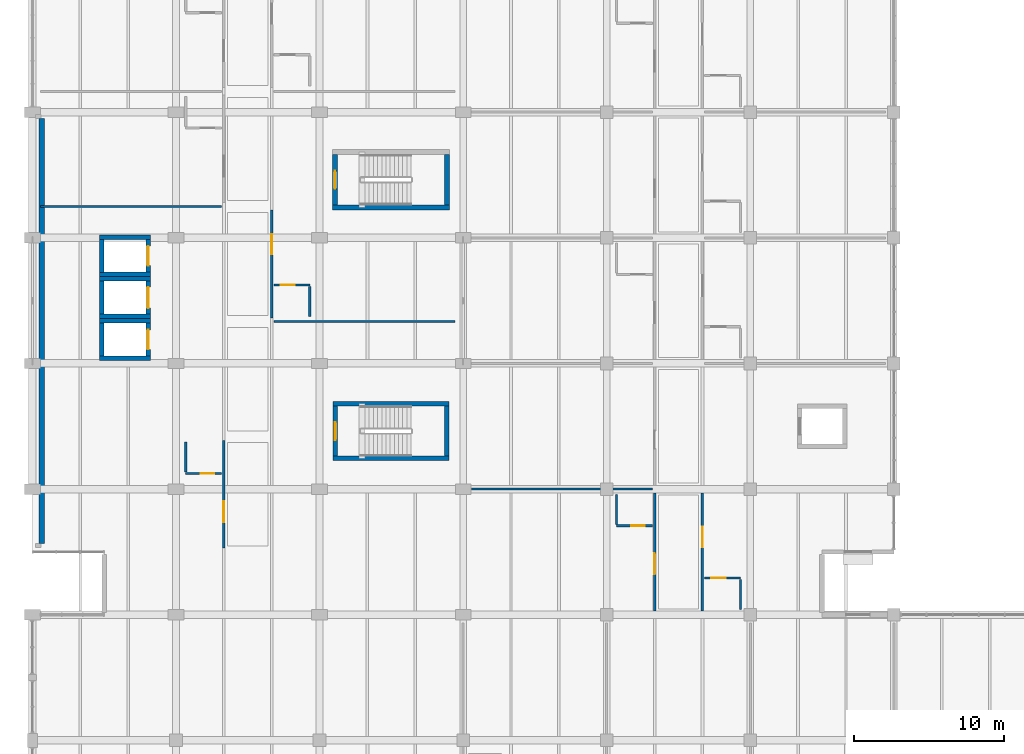
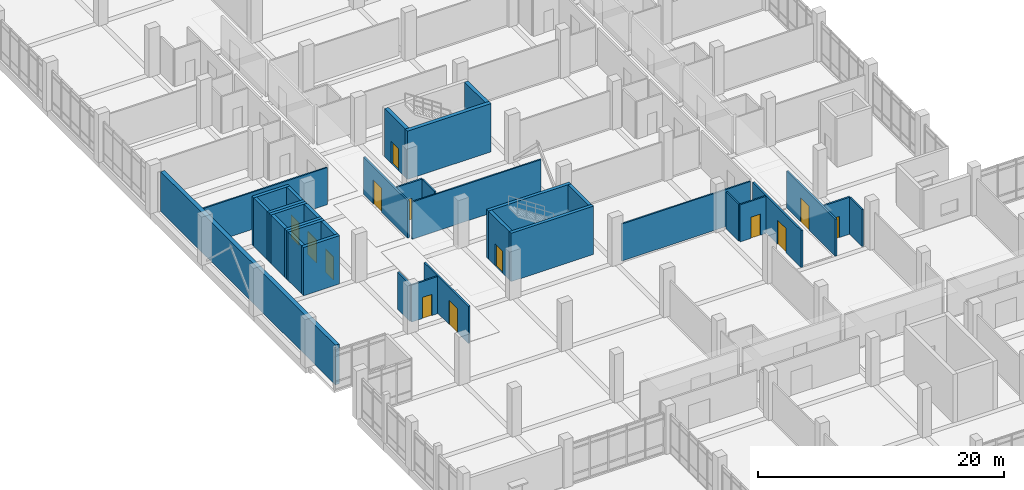
# One storey, part 119 of 152: 35 walls, 13 doors, 13 openings.
"""IFC4 building model written with IfcOpenShell, lengths in metres."""

from ifc_helpers import new_model, si_unit, direction, frame, frame_2d, origin, place, context, subcontext, project, spatial, rectangle, extrude, material, layer, layer_set, type_object, element, fill, save


model = new_model("IFC4")

# Units and contexts
model_context = context("Model", 3, precision=1e-05, world=origin(), true_north=direction((0.0, 1.0)))
body_context = subcontext(model_context, "Body", "Model", "MODEL_VIEW")
ifc_project = project(units=[si_unit("LENGTHUNIT", "METRE"), si_unit("AREAUNIT", "SQUARE_METRE"), si_unit("VOLUMEUNIT", "CUBIC_METRE"), si_unit("PLANEANGLEUNIT", "RADIAN"), si_unit("MASSUNIT", "GRAM", prefix="KILO")], contexts=[model_context])

# Site, building, storey
site_placement = place(None, origin())
site = spatial("IfcSite", under=ifc_project, at=site_placement, CompositionType="ELEMENT")
building_placement = place(site_placement, origin())
building = spatial("IfcBuilding", under=site, at=building_placement, Name="Oolite Switchyard Hospital", CompositionType="ELEMENT")
storey_placement = place(building_placement, frame((0.0, 0.0, 5.10009765625)))
storey = spatial("IfcBuildingStorey", under=building, at=storey_placement, Name="L01", CompositionType="ELEMENT", Elevation=5.10009765625)

# Walls
ifc_material_1 = material(Name="Precast oolitic limestone architectural concrete C40/50", Category="masonry")
ifc_layer_1 = layer(ifc_material_1, 0.3798828125)
ifc_layer_set_1 = layer_set([ifc_layer_1], Name="WAL-EXT-380")
wall_type_1 = type_object("IfcWallType", Name="WAL-EXT-380", PredefinedType="SOLIDWALL", material=ifc_layer_set_1)
wall_1_placement = place(storey_placement, frame((0.6201171875, 38.3798828125, 0.0), z_axis=(0.0, 0.0, 1.0), x_axis=(0.0, 1.0, 0.0)))
element("IfcWall", 1, at=wall_1_placement, inside=storey, type_object=wall_type_1, Name="L01 Exterior Spandrel Wall 103", PredefinedType="SOLIDWALL", context=body_context, shape_type="SweptSolid", body=[
    extrude(rectangle(XDim=28.400146484375, YDim=0.3798828125, at=frame_2d((14.2001953125, 0.0))), origin(), (0.0, 0.0, 1.0), 3.93994140625),
])
ifc_material_2 = material(Name="Moisture-resistant gypsum board on steel studs", Category="steel")
ifc_layer_2 = layer(ifc_material_2, 0.135009765625)
ifc_layer_set_2 = layer_set([ifc_layer_2], Name="WAL-PART-135")
wall_type_2 = type_object("IfcWallType", Name="WAL-PART-135", PredefinedType="PARTITIONING", material=ifc_layer_set_2)
wall_2_placement = place(storey_placement, frame((16.14990234375, 53.199951171875, 0.0), z_axis=(0.0, 0.0, 1.0), x_axis=(1.0, 0.0, 0.0)))
element("IfcWall", 2, at=wall_2_placement, inside=storey, type_object=wall_type_2, Name="L01 Interior Partition 220", PredefinedType="PARTITIONING", context=body_context, shape_type="SweptSolid", body=[
    extrude(rectangle(XDim=12.10009765625, YDim=0.135009765625, at=frame_2d((6.050048828125, 0.0))), origin(), (0.0, 0.0, 1.0), 3.679931640625),
])
for number, where, z_axis, x_axis, name in (
    (3, (0.550048828125, 60.89990234375, 0.0), (0.0, 0.0, 1.0), (1.0, 0.0, 0.0), "L01 Interior Partition 224"),
    (4, (29.35009765625, 42.0, 0.0), (0.0, 0.0, 1.0), (1.0, 0.0, 0.0), "L01 Interior Partition 246"),
):
    element("IfcWall", number, at=place(storey_placement, frame(where, z_axis=z_axis, x_axis=x_axis)), inside=storey, type_object=wall_type_2, Name=name, PredefinedType="PARTITIONING", context=body_context, shape_type="SweptSolid", body=[
        extrude(rectangle(XDim=12.099853515625, YDim=0.135009765625, at=frame_2d((6.0498046875, 0.0))), origin(), (0.0, 0.0, 1.0), 3.679931640625),
    ])

# Wall, opening, door
ifc_layer_3 = layer(ifc_material_2, 0.14990234375)
ifc_layer_set_3 = layer_set([ifc_layer_3], Name="WAL-PART-150")
wall_type_3 = type_object("IfcWallType", Name="WAL-PART-150", PredefinedType="PARTITIONING", material=ifc_layer_set_3)
wall_3_placement = place(storey_placement, frame((10.25, 43.050048828125, 0.0), z_axis=(0.0, 0.0, 1.0), x_axis=(1.0, 0.0, 0.0)))
wall_3 = element("IfcWall", 5, at=wall_3_placement, inside=storey, type_object=wall_type_3, Name="L01 Interior Partition 215", PredefinedType="PARTITIONING", context=body_context, shape_type="SweptSolid", body=[
    extrude(rectangle(XDim=2.39990234375, YDim=0.14990234375, at=frame_2d((1.199951171875, 0.0))), origin(), (0.0, 0.0, 1.0), 3.679931640625),
])
opening_1_placement = place(wall_3_placement, frame((1.0, 0.0, 0.0)))
opening_1 = element("IfcOpeningElement", 6, at=opening_1_placement, cuts=wall_3, Name="Opening D-0129", PredefinedType="OPENING", context=body_context, shape_type="SweptSolid", body=[
    extrude(rectangle(XDim=0.89990234375, YDim=2.10009765625, at=frame_2d((0.449951171875, 1.050048828125))), frame((0.0, 0.0849609375, 0.0), z_axis=(0.0, -1.0, 0.0), x_axis=(1.0, 0.0, 0.0)), (0.0, 0.0, 1.0), 0.169921875),
])
ifc_material_3 = material(Name="Solid-core antimicrobial hardwood leaf in steel frame", Category="steel")
door_type_1 = type_object("IfcDoorType", Name="DR-BATH-090X210", OperationType="NOTDEFINED", PredefinedType="DOOR", material=ifc_material_3)
door_1_placement = place(opening_1_placement, origin())
door_1 = element("IfcDoor", 7, at=door_1_placement, inside=storey, type_object=door_type_1, Name="L01 Interior Door D-0129", OperationType="SINGLE_SWING_RIGHT", OverallHeight=2.10009765625, OverallWidth=0.89990234375, PredefinedType="DOOR", context=body_context, shape_type="SweptSolid", body=[
    extrude(rectangle(XDim=0.89990234375, YDim=2.10009765625, at=frame_2d((0.449951171875, 1.050048828125))), frame((0.0, 0.02490234375, 0.0), z_axis=(0.0, -1.0, 0.0), x_axis=(1.0, 0.0, 0.0)), (0.0, 0.0, 1.0), 0.050048828125),
])
fill(opening_1, door_1)

# Wall
wall_4_placement = place(storey_placement, frame((10.25, 43.14990234375, 0.0), z_axis=(0.0, 0.0, 1.0), x_axis=(0.0, 1.0, 0.0)))
element("IfcWall", 8, at=wall_4_placement, inside=storey, type_object=wall_type_3, Name="L01 Interior Partition 216", PredefinedType="PARTITIONING", context=body_context, shape_type="SweptSolid", body=[
    extrude(rectangle(XDim=2.0, YDim=0.14990234375, at=frame_2d((1.0, 0.0))), origin(), (0.0, 0.0, 1.0), 3.679931640625),
])

# Wall, opening, door
wall_5_placement = place(storey_placement, frame((16.14990234375, 55.64990234375, 0.0), z_axis=(0.0, 0.0, 1.0), x_axis=(1.0, 0.0, 0.0)))
wall_5 = element("IfcWall", 9, at=wall_5_placement, inside=storey, type_object=wall_type_3, Name="L01 Interior Partition 218", PredefinedType="PARTITIONING", context=body_context, shape_type="SweptSolid", body=[
    extrude(rectangle(XDim=2.400146484375, YDim=0.14990234375, at=frame_2d((1.2001953125, 0.0))), origin(), (0.0, 0.0, 1.0), 3.679931640625),
])
opening_2_placement = place(wall_5_placement, frame((0.449951171875, 0.0, 0.0)))
opening_2 = element("IfcOpeningElement", 10, at=opening_2_placement, cuts=wall_5, Name="Opening D-0131", PredefinedType="OPENING", context=body_context, shape_type="SweptSolid", body=[
    extrude(rectangle(XDim=0.949951171875, YDim=2.10009765625, at=frame_2d((0.47509765625, 1.050048828125))), frame((0.0, 0.0849609375, 0.0), z_axis=(0.0, -1.0, 0.0), x_axis=(1.0, 0.0, 0.0)), (0.0, 0.0, 1.0), 0.169921875),
])
door_type_2 = type_object("IfcDoorType", Name="DR-BATH-095X210", OperationType="NOTDEFINED", PredefinedType="DOOR", material=ifc_material_3)
door_2_placement = place(opening_2_placement, origin())
door_2 = element("IfcDoor", 11, at=door_2_placement, inside=storey, type_object=door_type_2, Name="L01 Interior Door D-0131", OperationType="SINGLE_SWING_LEFT", OverallHeight=2.10009765625, OverallWidth=0.949951171875, PredefinedType="DOOR", context=body_context, shape_type="SweptSolid", body=[
    extrude(rectangle(XDim=0.949951171875, YDim=2.10009765625, at=frame_2d((0.47509765625, 1.050048828125))), frame((0.0, 0.02490234375, 0.0), z_axis=(0.0, -1.0, 0.0), x_axis=(1.0, 0.0, 0.0)), (0.0, 0.0, 1.0), 0.050048828125),
])
fill(opening_2, door_2)

# Wall
wall_6_placement = place(storey_placement, frame((18.550048828125, 53.550048828125, 0.0), z_axis=(0.0, 0.0, 1.0), x_axis=(0.0, 1.0, 0.0)))
element("IfcWall", 12, at=wall_6_placement, inside=storey, type_object=wall_type_3, Name="L01 Interior Partition 219", PredefinedType="PARTITIONING", context=body_context, shape_type="SweptSolid", body=[
    extrude(rectangle(XDim=2.0, YDim=0.14990234375, at=frame_2d((1.0, 0.0))), origin(), (0.0, 0.0, 1.0), 3.679931640625),
])

# Wall, opening, door
wall_7_placement = place(storey_placement, frame((39.050048828125, 39.550048828125, 0.0), z_axis=(0.0, 0.0, 1.0), x_axis=(1.0, 0.0, 0.0)))
wall_7 = element("IfcWall", 13, at=wall_7_placement, inside=storey, type_object=wall_type_3, Name="L01 Interior Partition 240", PredefinedType="PARTITIONING", context=body_context, shape_type="SweptSolid", body=[
    extrude(rectangle(XDim=2.39990234375, YDim=0.14990234375, at=frame_2d((1.199951171875, 0.0))), origin(), (0.0, 0.0, 1.0), 3.679931640625),
])
opening_3_placement = place(wall_7_placement, frame((1.0, 0.0, 0.0)))
opening_3 = element("IfcOpeningElement", 14, at=opening_3_placement, cuts=wall_7, Name="Opening D-0142", PredefinedType="OPENING", context=body_context, shape_type="SweptSolid", body=[
    extrude(rectangle(XDim=0.89990234375, YDim=2.10009765625, at=frame_2d((0.449951171875, 1.050048828125))), frame((0.0, 0.0849609375, 0.0), z_axis=(0.0, -1.0, 0.0), x_axis=(1.0, 0.0, 0.0)), (0.0, 0.0, 1.0), 0.169921875),
])
door_3_placement = place(opening_3_placement, origin())
door_3 = element("IfcDoor", 15, at=door_3_placement, inside=storey, type_object=door_type_1, Name="L01 Interior Door D-0142", OperationType="SINGLE_SWING_RIGHT", OverallHeight=2.10009765625, OverallWidth=0.89990234375, PredefinedType="DOOR", context=body_context, shape_type="SweptSolid", body=[
    extrude(rectangle(XDim=0.89990234375, YDim=2.10009765625, at=frame_2d((0.449951171875, 1.050048828125))), frame((0.0, 0.02490234375, 0.0), z_axis=(0.0, -1.0, 0.0), x_axis=(1.0, 0.0, 0.0)), (0.0, 0.0, 1.0), 0.050048828125),
])
fill(opening_3, door_3)

# Wall
wall_8_placement = place(storey_placement, frame((39.050048828125, 39.64990234375, 0.0), z_axis=(0.0, 0.0, 1.0), x_axis=(0.0, 1.0, 0.0)))
element("IfcWall", 16, at=wall_8_placement, inside=storey, type_object=wall_type_3, Name="L01 Interior Partition 241", PredefinedType="PARTITIONING", context=body_context, shape_type="SweptSolid", body=[
    extrude(rectangle(XDim=2.0, YDim=0.14990234375, at=frame_2d((1.0, 0.0))), origin(), (0.0, 0.0, 1.0), 3.679931640625),
])

# Wall, opening, door
wall_9_placement = place(storey_placement, frame((44.949951171875, 36.050048828125, 0.0), z_axis=(0.0, 0.0, 1.0), x_axis=(1.0, 0.0, 0.0)))
wall_9 = element("IfcWall", 17, at=wall_9_placement, inside=storey, type_object=wall_type_3, Name="L01 Interior Partition 243", PredefinedType="PARTITIONING", context=body_context, shape_type="SweptSolid", body=[
    extrude(rectangle(XDim=2.400146484375, YDim=0.14990234375, at=frame_2d((1.2001953125, 0.0))), origin(), (0.0, 0.0, 1.0), 3.679931640625),
])
opening_4_placement = place(wall_9_placement, frame((0.449951171875, 0.0, 0.0)))
opening_4 = element("IfcOpeningElement", 18, at=opening_4_placement, cuts=wall_9, Name="Opening D-0144", PredefinedType="OPENING", context=body_context, shape_type="SweptSolid", body=[
    extrude(rectangle(XDim=0.949951171875, YDim=2.10009765625, at=frame_2d((0.47509765625, 1.050048828125))), frame((0.0, 0.0849609375, 0.0), z_axis=(0.0, -1.0, 0.0), x_axis=(1.0, 0.0, 0.0)), (0.0, 0.0, 1.0), 0.169921875),
])
door_4_placement = place(opening_4_placement, origin())
door_4 = element("IfcDoor", 19, at=door_4_placement, inside=storey, type_object=door_type_2, Name="L01 Interior Door D-0144", OperationType="SINGLE_SWING_LEFT", OverallHeight=2.10009765625, OverallWidth=0.949951171875, PredefinedType="DOOR", context=body_context, shape_type="SweptSolid", body=[
    extrude(rectangle(XDim=0.949951171875, YDim=2.10009765625, at=frame_2d((0.47509765625, 1.050048828125))), frame((0.0, 0.02490234375, 0.0), z_axis=(0.0, -1.0, 0.0), x_axis=(1.0, 0.0, 0.0)), (0.0, 0.0, 1.0), 0.050048828125),
])
fill(opening_4, door_4)

# Wall
wall_10_placement = place(storey_placement, frame((47.35009765625, 33.949951171875, 0.0), z_axis=(0.0, 0.0, 1.0), x_axis=(0.0, 1.0, 0.0)))
element("IfcWall", 20, at=wall_10_placement, inside=storey, type_object=wall_type_3, Name="L01 Interior Partition 244", PredefinedType="PARTITIONING", context=body_context, shape_type="SweptSolid", body=[
    extrude(rectangle(XDim=2.0, YDim=0.14990234375, at=frame_2d((1.0, 0.0))), origin(), (0.0, 0.0, 1.0), 3.679931640625),
])

# Wall, opening, door
ifc_layer_4 = layer(ifc_material_2, 0.1650390625)
ifc_layer_set_4 = layer_set([ifc_layer_4], Name="WAL-PART-165")
wall_type_4 = type_object("IfcWallType", Name="WAL-PART-165", PredefinedType="PARTITIONING", material=ifc_layer_set_4)
wall_11_placement = place(storey_placement, frame((12.800048828125, 38.050048828125, 0.0), z_axis=(0.0, 0.0, 1.0), x_axis=(0.0, 1.0, 0.0)))
wall_11 = element("IfcWall", 21, at=wall_11_placement, inside=storey, type_object=wall_type_4, Name="L01 Interior Partition 214", PredefinedType="PARTITIONING", context=body_context, shape_type="SweptSolid", body=[
    extrude(rectangle(XDim=7.199951171875, YDim=0.1650390625, at=frame_2d((3.60009765625, 0.0))), origin(), (0.0, 0.0, 1.0), 3.679931640625),
])
opening_5_placement = place(wall_11_placement, frame((1.75, 0.0, 0.0)))
opening_5 = element("IfcOpeningElement", 22, at=opening_5_placement, cuts=wall_11, Name="Opening D-0128", PredefinedType="OPENING", context=body_context, shape_type="SweptSolid", body=[
    extrude(rectangle(XDim=1.39990234375, YDim=2.39990234375, at=frame_2d((0.699951171875, 1.199951171875))), frame((0.0, 0.092529296875, 0.0), z_axis=(0.0, -1.0, 0.0), x_axis=(1.0, 0.0, 0.0)), (0.0, 0.0, 1.0), 0.18505859375),
])
door_type_3 = type_object("IfcDoorType", Name="DR-ICU-140X240", OperationType="NOTDEFINED", PredefinedType="DOOR", material=ifc_material_3)
door_5_placement = place(opening_5_placement, origin())
door_5 = element("IfcDoor", 23, at=door_5_placement, inside=storey, type_object=door_type_3, Name="L01 Interior Door D-0128", OperationType="SINGLE_SWING_LEFT", OverallHeight=2.39990234375, OverallWidth=1.39990234375, PredefinedType="DOOR", context=body_context, shape_type="SweptSolid", body=[
    extrude(rectangle(XDim=1.39990234375, YDim=2.39990234375, at=frame_2d((0.699951171875, 1.199951171875))), frame((0.0, 0.02490234375, 0.0), z_axis=(0.0, -1.0, 0.0), x_axis=(1.0, 0.0, 0.0)), (0.0, 0.0, 1.0), 0.050048828125),
])
fill(opening_5, door_5)

wall_12_placement = place(storey_placement, frame((16.0, 53.449951171875, 0.0), z_axis=(0.0, 0.0, 1.0), x_axis=(0.0, 1.0, 0.0)))
wall_12 = element("IfcWall", 24, at=wall_12_placement, inside=storey, type_object=wall_type_4, Name="L01 Interior Partition 217", PredefinedType="PARTITIONING", context=body_context, shape_type="SweptSolid", body=[
    extrude(rectangle(XDim=7.199951171875, YDim=0.1650390625, at=frame_2d((3.60009765625, 0.0))), origin(), (0.0, 0.0, 1.0), 3.679931640625),
])
opening_6_placement = place(wall_12_placement, frame((4.25, 0.0, 0.0)))
opening_6 = element("IfcOpeningElement", 25, at=opening_6_placement, cuts=wall_12, Name="Opening D-0130", PredefinedType="OPENING", context=body_context, shape_type="SweptSolid", body=[
    extrude(rectangle(XDim=1.35009765625, YDim=2.39990234375, at=frame_2d((0.675048828125, 1.199951171875))), frame((0.0, 0.092529296875, 0.0), z_axis=(0.0, -1.0, 0.0), x_axis=(1.0, 0.0, 0.0)), (0.0, 0.0, 1.0), 0.18505859375),
])
door_type_4 = type_object("IfcDoorType", Name="DR-ICU-135X240", OperationType="NOTDEFINED", PredefinedType="DOOR", material=ifc_material_3)
door_6_placement = place(opening_6_placement, origin())
door_6 = element("IfcDoor", 26, at=door_6_placement, inside=storey, type_object=door_type_4, Name="L01 Interior Door D-0130", OperationType="SINGLE_SWING_RIGHT", OverallHeight=2.39990234375, OverallWidth=1.35009765625, PredefinedType="DOOR", context=body_context, shape_type="SweptSolid", body=[
    extrude(rectangle(XDim=1.35009765625, YDim=2.39990234375, at=frame_2d((0.675048828125, 1.199951171875))), frame((0.0, 0.02490234375, 0.0), z_axis=(0.0, -1.0, 0.0), x_axis=(1.0, 0.0, 0.0)), (0.0, 0.0, 1.0), 0.050048828125),
])
fill(opening_6, door_6)

wall_13_placement = place(storey_placement, frame((41.60009765625, 33.85009765625, 0.0), z_axis=(0.0, 0.0, 1.0), x_axis=(0.0, 1.0, 0.0)))
wall_13 = element("IfcWall", 27, at=wall_13_placement, inside=storey, type_object=wall_type_4, Name="L01 Interior Partition 239", PredefinedType="PARTITIONING", context=body_context, shape_type="SweptSolid", body=[
    extrude(rectangle(XDim=7.89990234375, YDim=0.1650390625, at=frame_2d((3.949951171875, 0.0))), origin(), (0.0, 0.0, 1.0), 3.679931640625),
])
opening_7_placement = place(wall_13_placement, frame((2.449951171875, 0.0, 0.0)))
opening_7 = element("IfcOpeningElement", 28, at=opening_7_placement, cuts=wall_13, Name="Opening D-0141", PredefinedType="OPENING", context=body_context, shape_type="SweptSolid", body=[
    extrude(rectangle(XDim=1.39990234375, YDim=2.39990234375, at=frame_2d((0.699951171875, 1.199951171875))), frame((0.0, 0.092529296875, 0.0), z_axis=(0.0, -1.0, 0.0), x_axis=(1.0, 0.0, 0.0)), (0.0, 0.0, 1.0), 0.18505859375),
])
door_7_placement = place(opening_7_placement, origin())
door_7 = element("IfcDoor", 29, at=door_7_placement, inside=storey, type_object=door_type_3, Name="L01 Interior Door D-0141", OperationType="SINGLE_SWING_LEFT", OverallHeight=2.39990234375, OverallWidth=1.39990234375, PredefinedType="DOOR", context=body_context, shape_type="SweptSolid", body=[
    extrude(rectangle(XDim=1.39990234375, YDim=2.39990234375, at=frame_2d((0.699951171875, 1.199951171875))), frame((0.0, 0.02490234375, 0.0), z_axis=(0.0, -1.0, 0.0), x_axis=(1.0, 0.0, 0.0)), (0.0, 0.0, 1.0), 0.050048828125),
])
fill(opening_7, door_7)

wall_14_placement = place(storey_placement, frame((44.800048828125, 33.85009765625, 0.0), z_axis=(0.0, 0.0, 1.0), x_axis=(0.0, 1.0, 0.0)))
wall_14 = element("IfcWall", 30, at=wall_14_placement, inside=storey, type_object=wall_type_4, Name="L01 Interior Partition 242", PredefinedType="PARTITIONING", context=body_context, shape_type="SweptSolid", body=[
    extrude(rectangle(XDim=7.89990234375, YDim=0.1650390625, at=frame_2d((3.949951171875, 0.0))), origin(), (0.0, 0.0, 1.0), 3.679931640625),
])
opening_8_placement = place(wall_14_placement, frame((4.25, 0.0, 0.0)))
opening_8 = element("IfcOpeningElement", 31, at=opening_8_placement, cuts=wall_14, Name="Opening D-0143", PredefinedType="OPENING", context=body_context, shape_type="SweptSolid", body=[
    extrude(rectangle(XDim=1.39990234375, YDim=2.39990234375, at=frame_2d((0.699951171875, 1.199951171875))), frame((0.0, 0.092529296875, 0.0), z_axis=(0.0, -1.0, 0.0), x_axis=(1.0, 0.0, 0.0)), (0.0, 0.0, 1.0), 0.18505859375),
])
door_8_placement = place(opening_8_placement, origin())
door_8 = element("IfcDoor", 32, at=door_8_placement, inside=storey, type_object=door_type_3, Name="L01 Interior Door D-0143", OperationType="SINGLE_SWING_RIGHT", OverallHeight=2.39990234375, OverallWidth=1.39990234375, PredefinedType="DOOR", context=body_context, shape_type="SweptSolid", body=[
    extrude(rectangle(XDim=1.39990234375, YDim=2.39990234375, at=frame_2d((0.699951171875, 1.199951171875))), frame((0.0, 0.02490234375, 0.0), z_axis=(0.0, -1.0, 0.0), x_axis=(1.0, 0.0, 0.0)), (0.0, 0.0, 1.0), 0.050048828125),
])
fill(opening_8, door_8)

# Walls
ifc_material_4 = material(Name="Concrete C50/60", Category="concrete")
ifc_layer_5 = layer(ifc_material_4, 0.300048828125)
ifc_layer_set_5 = layer_set([ifc_layer_5], Name="WAL-SHR-300")
wall_type_5 = type_object("IfcWallType", Name="WAL-SHR-300", PredefinedType="SHEAR", material=ifc_layer_set_5)
wall_15_placement = place(storey_placement, frame((20.10009765625, 44.050048828125, 0.0), z_axis=(0.0, 0.0, 1.0), x_axis=(1.0, 0.0, 0.0)))
element("IfcWall", 33, at=wall_15_placement, inside=storey, type_object=wall_type_5, Name="L01 Core Shear Wall ST-01", PredefinedType="SHEAR", context=body_context, shape_type="SweptSolid", body=[
    extrude(rectangle(XDim=7.75, YDim=0.300048828125, at=frame_2d((3.875, 0.0))), origin(), (0.0, 0.0, 1.0), 4.7998046875),
])
wall_16_placement = place(storey_placement, frame((27.699951171875, 44.199951171875, 0.0), z_axis=(0.0, 0.0, 1.0), x_axis=(0.0, 1.0, 0.0)))
element("IfcWall", 34, at=wall_16_placement, inside=storey, type_object=wall_type_5, Name="L01 Core Shear Wall ST-01", PredefinedType="SHEAR", context=body_context, shape_type="SweptSolid", body=[
    extrude(rectangle(XDim=3.360107421875, YDim=0.300048828125, at=frame_2d((1.68017578125, 0.0))), origin(), (0.0, 0.0, 1.0), 4.7998046875),
])
wall_17_placement = place(storey_placement, frame((27.85009765625, 47.7099609375, 0.0), z_axis=(0.0, 0.0, 1.0), x_axis=(-1.0, 0.0, 0.0)))
element("IfcWall", 35, at=wall_17_placement, inside=storey, type_object=wall_type_5, Name="L01 Core Shear Wall ST-01", PredefinedType="SHEAR", context=body_context, shape_type="SweptSolid", body=[
    extrude(rectangle(XDim=7.75, YDim=0.300048828125, at=frame_2d((3.875, 0.0))), origin(), (0.0, 0.0, 1.0), 4.7998046875),
])

# Wall, opening, door
wall_18_placement = place(storey_placement, frame((20.25, 47.56005859375, 0.0), z_axis=(0.0, 0.0, 1.0), x_axis=(0.0, -1.0, 0.0)))
wall_18 = element("IfcWall", 36, at=wall_18_placement, inside=storey, type_object=wall_type_5, Name="L01 Core Shear Wall ST-01", PredefinedType="SHEAR", context=body_context, shape_type="SweptSolid", body=[
    extrude(rectangle(XDim=3.360107421875, YDim=0.300048828125, at=frame_2d((1.68017578125, 0.0))), origin(), (0.0, 0.0, 1.0), 4.7998046875),
])
opening_9_placement = place(wall_18_placement, frame((1.080078125, 0.0, 0.0)))
opening_9 = element("IfcOpeningElement", 37, at=opening_9_placement, cuts=wall_18, Name="Opening SD-002", PredefinedType="OPENING", context=body_context, shape_type="SweptSolid", body=[
    extrude(rectangle(XDim=1.199951171875, YDim=2.199951171875, at=frame_2d((0.60009765625, 1.10009765625))), frame((0.0, 0.16015625, 0.0), z_axis=(0.0, -1.0, 0.0), x_axis=(1.0, 0.0, 0.0)), (0.0, 0.0, 1.0), 0.320068359375),
])
ifc_material_5 = material(Name="Hollow metal fire-rated steel door assembly", Category="steel")
door_type_5 = type_object("IfcDoorType", Name="DR-STR-120X220", OperationType="NOTDEFINED", PredefinedType="DOOR", material=ifc_material_5)
door_9_placement = place(opening_9_placement, origin())
door_9 = element("IfcDoor", 38, at=door_9_placement, inside=storey, type_object=door_type_5, Name="L01 ST-01 Exit Stair Door SD-002", OperationType="SINGLE_SWING_RIGHT", OverallHeight=2.199951171875, OverallWidth=1.199951171875, PredefinedType="DOOR", context=body_context, shape_type="SweptSolid", body=[
    extrude(rectangle(XDim=1.199951171875, YDim=2.199951171875, at=frame_2d((0.60009765625, 1.10009765625))), frame((0.0, 0.02490234375, 0.0), z_axis=(0.0, -1.0, 0.0), x_axis=(1.0, 0.0, 0.0)), (0.0, 0.0, 1.0), 0.050048828125),
])
fill(opening_9, door_9)

# Wall
wall_19_placement = place(storey_placement, frame((4.5, 50.75, 0.0), z_axis=(0.0, 0.0, 1.0), x_axis=(1.0, 0.0, 0.0)))
element("IfcWall", 39, at=wall_19_placement, inside=storey, type_object=wall_type_5, Name="L01 Lift Shaft Shear Wall EL-05", PredefinedType="SHEAR", context=body_context, shape_type="SweptSolid", body=[
    extrude(rectangle(XDim=3.39990234375, YDim=0.300048828125, at=frame_2d((1.699951171875, 0.0))), origin(), (0.0, 0.0, 1.0), 4.7998046875),
])

# Wall, opening, door
wall_20_placement = place(storey_placement, frame((7.75, 50.89990234375, 0.0), z_axis=(0.0, 0.0, 1.0), x_axis=(0.0, 1.0, 0.0)))
wall_20 = element("IfcWall", 40, at=wall_20_placement, inside=storey, type_object=wall_type_5, Name="L01 Lift Shaft Shear Wall EL-05", PredefinedType="SHEAR", context=body_context, shape_type="SweptSolid", body=[
    extrude(rectangle(XDim=2.2001953125, YDim=0.300048828125, at=frame_2d((1.10009765625, 0.0))), origin(), (0.0, 0.0, 1.0), 4.7998046875),
])
opening_10_placement = place(wall_20_placement, frame((0.449951171875, 0.0, 0.0)))
opening_10 = element("IfcOpeningElement", 41, at=opening_10_placement, cuts=wall_20, Name="Opening LD-036", PredefinedType="OPENING", context=body_context, shape_type="SweptSolid", body=[
    extrude(rectangle(XDim=1.300048828125, YDim=2.300048828125, at=frame_2d((0.64990234375, 1.14990234375))), frame((0.0, 0.16015625, 0.0), z_axis=(0.0, -1.0, 0.0), x_axis=(1.0, 0.0, 0.0)), (0.0, 0.0, 1.0), 0.320068359375),
])
ifc_material_6 = material(Name="Brushed stainless steel fire-rated sliding landing door", Category="steel")
door_type_6 = type_object("IfcDoorType", Name="DR-LD-130X230", OperationType="NOTDEFINED", PredefinedType="DOOR", material=ifc_material_6)
door_10_placement = place(opening_10_placement, origin())
door_10 = element("IfcDoor", 42, at=door_10_placement, inside=storey, type_object=door_type_6, Name="L01 EL-05 Lift Landing Door LD-036", OperationType="SLIDING_TO_RIGHT", OverallHeight=2.300048828125, OverallWidth=1.300048828125, PredefinedType="DOOR", context=body_context, shape_type="SweptSolid", body=[
    extrude(rectangle(XDim=1.300048828125, YDim=2.300048828125, at=frame_2d((0.64990234375, 1.14990234375))), frame((0.0, 0.02490234375, 0.0), z_axis=(0.0, -1.0, 0.0), x_axis=(1.0, 0.0, 0.0)), (0.0, 0.0, 1.0), 0.050048828125),
])
fill(opening_10, door_10)

# Walls
wall_21_placement = place(storey_placement, frame((7.89990234375, 53.25, 0.0), z_axis=(0.0, 0.0, 1.0), x_axis=(-1.0, 0.0, 0.0)))
element("IfcWall", 43, at=wall_21_placement, inside=storey, type_object=wall_type_5, Name="L01 Lift Shaft Shear Wall EL-05", PredefinedType="SHEAR", context=body_context, shape_type="SweptSolid", body=[
    extrude(rectangle(XDim=3.39990234375, YDim=0.300048828125, at=frame_2d((1.699951171875, 0.0))), origin(), (0.0, 0.0, 1.0), 4.7998046875),
])
wall_22_placement = place(storey_placement, frame((4.64990234375, 53.10009765625, 0.0), z_axis=(0.0, 0.0, 1.0), x_axis=(0.0, -1.0, 0.0)))
element("IfcWall", 44, at=wall_22_placement, inside=storey, type_object=wall_type_5, Name="L01 Lift Shaft Shear Wall EL-05", PredefinedType="SHEAR", context=body_context, shape_type="SweptSolid", body=[
    extrude(rectangle(XDim=2.2001953125, YDim=0.300048828125, at=frame_2d((1.10009765625, 0.0))), origin(), (0.0, 0.0, 1.0), 4.7998046875),
])
wall_23_placement = place(storey_placement, frame((4.5, 53.550048828125, 0.0), z_axis=(0.0, 0.0, 1.0), x_axis=(1.0, 0.0, 0.0)))
element("IfcWall", 45, at=wall_23_placement, inside=storey, type_object=wall_type_5, Name="L01 Lift Shaft Shear Wall EL-06", PredefinedType="SHEAR", context=body_context, shape_type="SweptSolid", body=[
    extrude(rectangle(XDim=3.39990234375, YDim=0.300048828125, at=frame_2d((1.699951171875, 0.0))), origin(), (0.0, 0.0, 1.0), 4.7998046875),
])

# Wall, opening, door
wall_24_placement = place(storey_placement, frame((7.75, 53.699951171875, 0.0), z_axis=(0.0, 0.0, 1.0), x_axis=(0.0, 1.0, 0.0)))
wall_24 = element("IfcWall", 46, at=wall_24_placement, inside=storey, type_object=wall_type_5, Name="L01 Lift Shaft Shear Wall EL-06", PredefinedType="SHEAR", context=body_context, shape_type="SweptSolid", body=[
    extrude(rectangle(XDim=2.199951171875, YDim=0.300048828125, at=frame_2d((1.10009765625, 0.0))), origin(), (0.0, 0.0, 1.0), 4.7998046875),
])
opening_11_placement = place(wall_24_placement, frame((0.39990234375, 0.0, 0.0)))
opening_11 = element("IfcOpeningElement", 47, at=opening_11_placement, cuts=wall_24, Name="Opening LD-043", PredefinedType="OPENING", context=body_context, shape_type="SweptSolid", body=[
    extrude(rectangle(XDim=1.39990234375, YDim=2.300048828125, at=frame_2d((0.699951171875, 1.14990234375))), frame((0.0, 0.16015625, 0.0), z_axis=(0.0, -1.0, 0.0), x_axis=(1.0, 0.0, 0.0)), (0.0, 0.0, 1.0), 0.320068359375),
])
door_type_7 = type_object("IfcDoorType", Name="DR-LD-140X230", OperationType="NOTDEFINED", PredefinedType="DOOR", material=ifc_material_6)
door_11_placement = place(opening_11_placement, origin())
door_11 = element("IfcDoor", 48, at=door_11_placement, inside=storey, type_object=door_type_7, Name="L01 EL-06 Lift Landing Door LD-043", OperationType="SLIDING_TO_LEFT", OverallHeight=2.300048828125, OverallWidth=1.39990234375, PredefinedType="DOOR", context=body_context, shape_type="SweptSolid", body=[
    extrude(rectangle(XDim=1.39990234375, YDim=2.300048828125, at=frame_2d((0.699951171875, 1.14990234375))), frame((0.0, 0.02490234375, 0.0), z_axis=(0.0, -1.0, 0.0), x_axis=(1.0, 0.0, 0.0)), (0.0, 0.0, 1.0), 0.050048828125),
])
fill(opening_11, door_11)

# Walls
wall_25_placement = place(storey_placement, frame((7.89990234375, 56.050048828125, 0.0), z_axis=(0.0, 0.0, 1.0), x_axis=(-1.0, 0.0, 0.0)))
element("IfcWall", 49, at=wall_25_placement, inside=storey, type_object=wall_type_5, Name="L01 Lift Shaft Shear Wall EL-06", PredefinedType="SHEAR", context=body_context, shape_type="SweptSolid", body=[
    extrude(rectangle(XDim=3.39990234375, YDim=0.300048828125, at=frame_2d((1.699951171875, 0.0))), origin(), (0.0, 0.0, 1.0), 4.7998046875),
])
wall_26_placement = place(storey_placement, frame((4.64990234375, 55.89990234375, 0.0), z_axis=(0.0, 0.0, 1.0), x_axis=(0.0, -1.0, 0.0)))
element("IfcWall", 50, at=wall_26_placement, inside=storey, type_object=wall_type_5, Name="L01 Lift Shaft Shear Wall EL-06", PredefinedType="SHEAR", context=body_context, shape_type="SweptSolid", body=[
    extrude(rectangle(XDim=2.199951171875, YDim=0.300048828125, at=frame_2d((1.10009765625, 0.0))), origin(), (0.0, 0.0, 1.0), 4.7998046875),
])
wall_27_placement = place(storey_placement, frame((4.5, 56.35009765625, 0.0), z_axis=(0.0, 0.0, 1.0), x_axis=(1.0, 0.0, 0.0)))
element("IfcWall", 51, at=wall_27_placement, inside=storey, type_object=wall_type_5, Name="L01 Lift Shaft Shear Wall EL-07", PredefinedType="SHEAR", context=body_context, shape_type="SweptSolid", body=[
    extrude(rectangle(XDim=3.39990234375, YDim=0.300048828125, at=frame_2d((1.699951171875, 0.0))), origin(), (0.0, 0.0, 1.0), 4.7998046875),
])

# Wall, opening, door
wall_28_placement = place(storey_placement, frame((7.75, 56.5, 0.0), z_axis=(0.0, 0.0, 1.0), x_axis=(0.0, 1.0, 0.0)))
wall_28 = element("IfcWall", 52, at=wall_28_placement, inside=storey, type_object=wall_type_5, Name="L01 Lift Shaft Shear Wall EL-07", PredefinedType="SHEAR", context=body_context, shape_type="SweptSolid", body=[
    extrude(rectangle(XDim=2.199951171875, YDim=0.300048828125, at=frame_2d((1.10009765625, 0.0))), origin(), (0.0, 0.0, 1.0), 4.7998046875),
])
opening_12_placement = place(wall_28_placement, frame((0.449951171875, 0.0, 0.0)))
opening_12 = element("IfcOpeningElement", 53, at=opening_12_placement, cuts=wall_28, Name="Opening LD-050", PredefinedType="OPENING", context=body_context, shape_type="SweptSolid", body=[
    extrude(rectangle(XDim=1.300048828125, YDim=2.300048828125, at=frame_2d((0.64990234375, 1.14990234375))), frame((0.0, 0.16015625, 0.0), z_axis=(0.0, -1.0, 0.0), x_axis=(1.0, 0.0, 0.0)), (0.0, 0.0, 1.0), 0.320068359375),
])
door_12_placement = place(opening_12_placement, origin())
door_12 = element("IfcDoor", 54, at=door_12_placement, inside=storey, type_object=door_type_6, Name="L01 EL-07 Lift Landing Door LD-050", OperationType="SLIDING_TO_RIGHT", OverallHeight=2.300048828125, OverallWidth=1.300048828125, PredefinedType="DOOR", context=body_context, shape_type="SweptSolid", body=[
    extrude(rectangle(XDim=1.300048828125, YDim=2.300048828125, at=frame_2d((0.64990234375, 1.14990234375))), frame((0.0, 0.02490234375, 0.0), z_axis=(0.0, -1.0, 0.0), x_axis=(1.0, 0.0, 0.0)), (0.0, 0.0, 1.0), 0.050048828125),
])
fill(opening_12, door_12)

# Walls
wall_29_placement = place(storey_placement, frame((7.89990234375, 58.85009765625, 0.0), z_axis=(0.0, 0.0, 1.0), x_axis=(-1.0, 0.0, 0.0)))
element("IfcWall", 55, at=wall_29_placement, inside=storey, type_object=wall_type_5, Name="L01 Lift Shaft Shear Wall EL-07", PredefinedType="SHEAR", context=body_context, shape_type="SweptSolid", body=[
    extrude(rectangle(XDim=3.39990234375, YDim=0.300048828125, at=frame_2d((1.699951171875, 0.0))), origin(), (0.0, 0.0, 1.0), 4.7998046875),
])
wall_30_placement = place(storey_placement, frame((4.64990234375, 58.699951171875, 0.0), z_axis=(0.0, 0.0, 1.0), x_axis=(0.0, -1.0, 0.0)))
element("IfcWall", 56, at=wall_30_placement, inside=storey, type_object=wall_type_5, Name="L01 Lift Shaft Shear Wall EL-07", PredefinedType="SHEAR", context=body_context, shape_type="SweptSolid", body=[
    extrude(rectangle(XDim=2.199951171875, YDim=0.300048828125, at=frame_2d((1.10009765625, 0.0))), origin(), (0.0, 0.0, 1.0), 4.7998046875),
])
ifc_layer_6 = layer(ifc_material_4, 0.35009765625)
ifc_layer_set_6 = layer_set([ifc_layer_6], Name="WAL-SHR-350")
wall_type_6 = type_object("IfcWallType", Name="WAL-SHR-350", PredefinedType="SHEAR", material=ifc_layer_set_6)
wall_31_placement = place(storey_placement, frame((20.050048828125, 60.824951171875, 0.0), z_axis=(0.0, 0.0, 1.0), x_axis=(1.0, 0.0, 0.0)))
element("IfcWall", 57, at=wall_31_placement, inside=storey, type_object=wall_type_6, Name="L01 Core Shear Wall ST-02", PredefinedType="SHEAR", context=body_context, shape_type="SweptSolid", body=[
    extrude(rectangle(XDim=7.849853515625, YDim=0.35009765625, at=frame_2d((3.9248046875, 0.0))), origin(), (0.0, 0.0, 1.0), 4.7998046875),
])
wall_32_placement = place(storey_placement, frame((27.72509765625, 61.0, 0.0), z_axis=(0.0, 0.0, 1.0), x_axis=(0.0, 1.0, 0.0)))
element("IfcWall", 58, at=wall_32_placement, inside=storey, type_object=wall_type_6, Name="L01 Core Shear Wall ST-02", PredefinedType="SHEAR", context=body_context, shape_type="SweptSolid", body=[
    extrude(rectangle(XDim=3.360107421875, YDim=0.35009765625, at=frame_2d((1.68017578125, 0.0))), origin(), (0.0, 0.0, 1.0), 4.7998046875),
])

# Wall, opening, door
wall_33_placement = place(storey_placement, frame((20.22509765625, 64.360107421875, 0.0), z_axis=(0.0, 0.0, 1.0), x_axis=(0.0, -1.0, 0.0)))
wall_33 = element("IfcWall", 59, at=wall_33_placement, inside=storey, type_object=wall_type_6, Name="L01 Core Shear Wall ST-02", PredefinedType="SHEAR", context=body_context, shape_type="SweptSolid", body=[
    extrude(rectangle(XDim=3.360107421875, YDim=0.35009765625, at=frame_2d((1.68017578125, 0.0))), origin(), (0.0, 0.0, 1.0), 4.7998046875),
])
opening_13_placement = place(wall_33_placement, frame((1.080078125, 0.0, 0.0)))
opening_13 = element("IfcOpeningElement", 60, at=opening_13_placement, cuts=wall_33, Name="Opening SD-009", PredefinedType="OPENING", context=body_context, shape_type="SweptSolid", body=[
    extrude(rectangle(XDim=1.199951171875, YDim=2.199951171875, at=frame_2d((0.60009765625, 1.10009765625))), frame((0.0, 0.18505859375, 0.0), z_axis=(0.0, -1.0, 0.0), x_axis=(1.0, 0.0, 0.0)), (0.0, 0.0, 1.0), 0.3701171875),
])
door_13_placement = place(opening_13_placement, origin())
door_13 = element("IfcDoor", 61, at=door_13_placement, inside=storey, type_object=door_type_5, Name="L01 ST-02 Exit Stair Door SD-009", OperationType="SINGLE_SWING_LEFT", OverallHeight=2.199951171875, OverallWidth=1.199951171875, PredefinedType="DOOR", context=body_context, shape_type="SweptSolid", body=[
    extrude(rectangle(XDim=1.199951171875, YDim=2.199951171875, at=frame_2d((0.60009765625, 1.10009765625))), frame((0.0, 0.02490234375, 0.0), z_axis=(0.0, -1.0, 0.0), x_axis=(1.0, 0.0, 0.0)), (0.0, 0.0, 1.0), 0.050048828125),
])
fill(opening_13, door_13)

save(model, "model.ifc")
